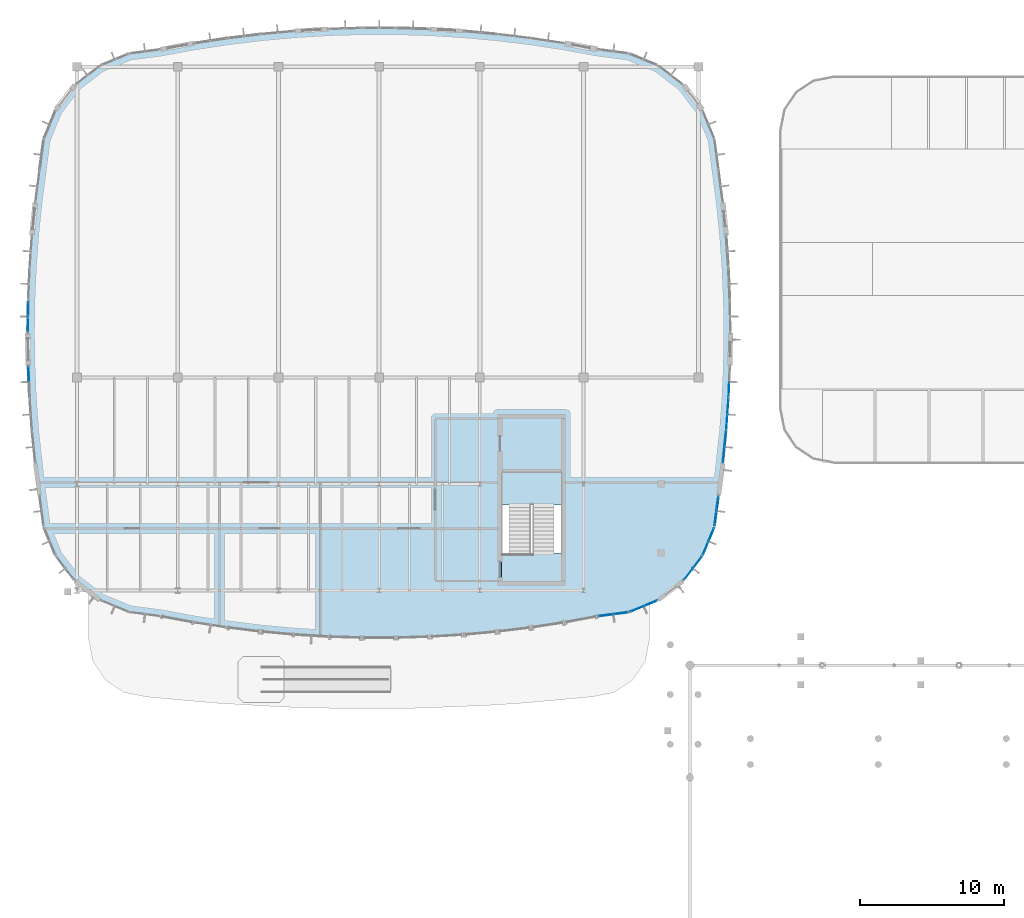
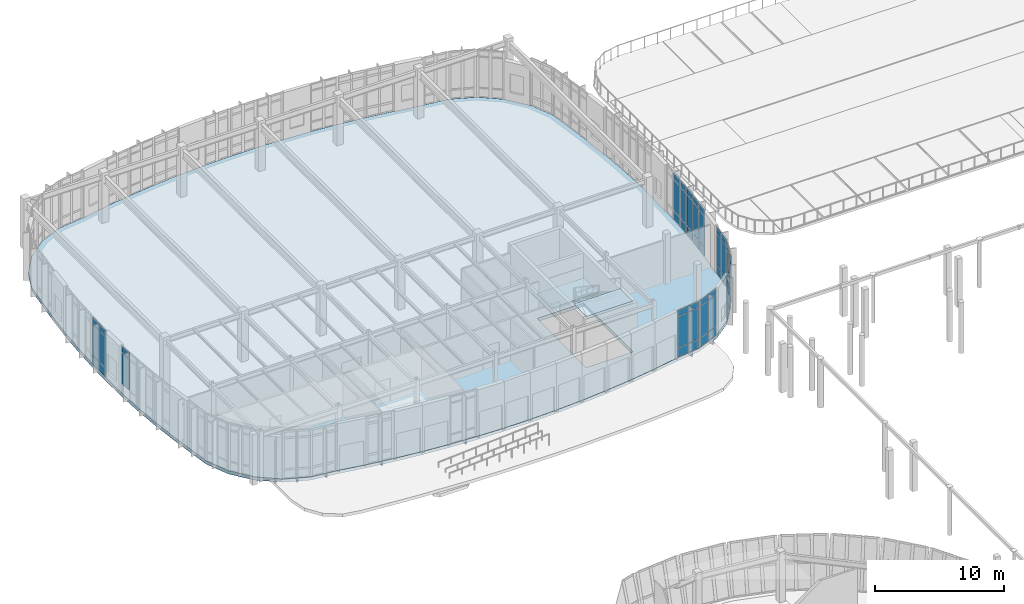
# One storey, part 76 of 120: 53 plates, 3 slabs, 11 elements without a shape of their own.
"""IFC4 building model written with IfcOpenShell, lengths in metres."""

from ifc_helpers import new_model, si_unit, direction, frame, origin, origin_2d, place, context, subcontext, project, spatial, polyline, rectangle, outline, extrude, material, layer, layer_set, type_object, element, aggregate, save


model = new_model("IFC4")

# Units and contexts
model_context = context("Model", 3, precision=1e-05, world=origin(), true_north=direction((0.0, 1.0)))
body_context = subcontext(model_context, "Body", "Model", "MODEL_VIEW")
ifc_project = project(units=[si_unit("LENGTHUNIT", "METRE"), si_unit("AREAUNIT", "SQUARE_METRE"), si_unit("VOLUMEUNIT", "CUBIC_METRE"), si_unit("PLANEANGLEUNIT", "RADIAN"), si_unit("MASSUNIT", "GRAM", prefix="KILO")], contexts=[model_context])

# Site, building, storey
site_placement = place(None, origin())
site = spatial("IfcSite", under=ifc_project, at=site_placement, CompositionType="ELEMENT")
building_placement = place(site_placement, origin())
building = spatial("IfcBuilding", under=site, at=building_placement, Name="Corveleigh Park Community Centre", CompositionType="ELEMENT")
storey_placement = place(building_placement, origin())
storey = spatial("IfcBuildingStorey", under=building, at=storey_placement, Name="L00", CompositionType="ELEMENT", Elevation=0.0)

# Curtain wall, plates
ifc_material_1 = material(Name="Anodised aluminium 6063-T6", Category="aluminium")
curtain_wall_type = type_object("IfcCurtainWallType", Name="CW-SYS-V2-L00", PredefinedType="NOTDEFINED", material=ifc_material_1)
curtain_wall_1_placement = place(storey_placement, origin())
curtain_wall_1 = element("IfcCurtainWall", 1, at=curtain_wall_1_placement, inside=storey, type_object=curtain_wall_type, Name="V2 L00 Curtain Wall 37", PredefinedType="NOTDEFINED")
ifc_material_2 = material(Name="Low-E double glazing", Category="glass")
ifc_layer_1 = layer(ifc_material_2, 0.02392578125, Name="Low-E double glazing", Category="glass")
ifc_layer_set_1 = layer_set([ifc_layer_1], Name="Low-E double glazing")
plate_type_1 = type_object("IfcPlateType", Name="CWP-GLZ-24", PredefinedType="CURTAIN_PANEL", material=ifc_layer_set_1)
plate_1_placement = place(storey_placement, frame((56.265380859375, 88.521484375, 0.06494140625), z_axis=(0.0, 0.0, 1.0), x_axis=(-0.101352073938, -0.9948506205, 0.0)))
plate_1 = element("IfcPlate", 2, at=plate_1_placement, type_object=plate_type_1, Name="CW03 panel 1.1", PredefinedType="CURTAIN_PANEL", context=body_context, shape_type="SweptSolid", body=[
    extrude(rectangle(XDim=1.034912109375, YDim=0.02392578125, at=origin_2d()), origin(), (0.0, 0.0, 1.0), 0.802490234375),
])
plate_2_placement = place(storey_placement, frame((56.265380859375, 88.521484375, 0.9326171875), z_axis=(0.0, 0.0, 1.0), x_axis=(-0.101352073938, -0.9948506205, 0.0)))
plate_2 = element("IfcPlate", 3, at=plate_2_placement, type_object=plate_type_1, Name="CW03 panel 1.2", PredefinedType="CURTAIN_PANEL", context=body_context, shape_type="SweptSolid", body=[
    extrude(rectangle(XDim=1.034912109375, YDim=0.02392578125, at=origin_2d()), origin(), (0.0, 0.0, 1.0), 2.89697265625),
])
plate_3_placement = place(storey_placement, frame((56.265380859375, 88.521484375, 3.89453125), z_axis=(0.0, 0.0, 1.0), x_axis=(-0.101352073938, -0.9948506205, 0.0)))
plate_3 = element("IfcPlate", 4, at=plate_3_placement, type_object=plate_type_1, Name="CW03 panel 1.3", PredefinedType="CURTAIN_PANEL", context=body_context, shape_type="SweptSolid", body=[
    extrude(rectangle(XDim=1.034912109375, YDim=0.02392578125, at=origin_2d()), origin(), (0.0, 0.0, 1.0), 0.552490234375),
])
plate_4_placement = place(storey_placement, frame((56.154541015625, 87.432373046875, 0.06494140625), z_axis=(0.0, 0.0, 1.0), x_axis=(-0.101352073938, -0.9948506205, 0.0)))
plate_4 = element("IfcPlate", 5, at=plate_4_placement, type_object=plate_type_1, Name="CW03 panel 2.1", PredefinedType="CURTAIN_PANEL", context=body_context, shape_type="SweptSolid", body=[
    extrude(rectangle(XDim=1.034912109375, YDim=0.02392578125, at=origin_2d()), origin(), (0.0, 0.0, 1.0), 0.802490234375),
])
plate_5_placement = place(storey_placement, frame((56.154541015625, 87.432373046875, 0.9326171875), z_axis=(0.0, 0.0, 1.0), x_axis=(-0.101352073938, -0.9948506205, 0.0)))
plate_5 = element("IfcPlate", 6, at=plate_5_placement, type_object=plate_type_1, Name="CW03 panel 2.2", PredefinedType="CURTAIN_PANEL", context=body_context, shape_type="SweptSolid", body=[
    extrude(rectangle(XDim=1.034912109375, YDim=0.02392578125, at=origin_2d()), origin(), (0.0, 0.0, 1.0), 2.89697265625),
])
plate_6_placement = place(storey_placement, frame((56.154541015625, 87.432373046875, 3.89453125), z_axis=(0.0, 0.0, 1.0), x_axis=(-0.101352073938, -0.9948506205, 0.0)))
plate_6 = element("IfcPlate", 7, at=plate_6_placement, type_object=plate_type_1, Name="CW03 panel 2.3", PredefinedType="CURTAIN_PANEL", context=body_context, shape_type="SweptSolid", body=[
    extrude(rectangle(XDim=1.034912109375, YDim=0.02392578125, at=origin_2d()), origin(), (0.0, 0.0, 1.0), 0.552490234375),
])
aggregate(curtain_wall_1, [plate_1, plate_2, plate_3, plate_4, plate_5, plate_6])

curtain_wall_2_placement = place(storey_placement, origin())
curtain_wall_2 = element("IfcCurtainWall", 8, at=curtain_wall_2_placement, inside=storey, type_object=curtain_wall_type, Name="V2 L00 Curtain Wall 38", PredefinedType="NOTDEFINED")
plate_7_placement = place(storey_placement, frame((56.4462890625, 90.78076171875, 0.070068359375), z_axis=(0.0, 0.0, 1.0), x_axis=(-0.072005120539, -0.997404262381, 0.0)))
plate_7 = element("IfcPlate", 9, at=plate_7_placement, type_object=plate_type_1, Name="CW03 panel 1.1", PredefinedType="CURTAIN_PANEL", context=body_context, shape_type="SweptSolid", body=[
    extrude(rectangle(XDim=1.02734375, YDim=0.02392578125, at=origin_2d()), origin(), (0.0, 0.0, 1.0), 0.794921875),
])
plate_8_placement = place(storey_placement, frame((56.4462890625, 90.78076171875, 0.93505859375), z_axis=(0.0, 0.0, 1.0), x_axis=(-0.072005120539, -0.997404262381, 0.0)))
plate_8 = element("IfcPlate", 10, at=plate_8_placement, type_object=plate_type_1, Name="CW03 panel 1.2", PredefinedType="CURTAIN_PANEL", context=body_context, shape_type="SweptSolid", body=[
    extrude(rectangle(XDim=1.02734375, YDim=0.02392578125, at=origin_2d()), origin(), (0.0, 0.0, 1.0), 2.89208984375),
])
plate_9_placement = place(storey_placement, frame((56.4462890625, 90.78076171875, 3.89697265625), z_axis=(0.0, 0.0, 1.0), x_axis=(-0.072005120539, -0.997404262381, 0.0)))
plate_9 = element("IfcPlate", 11, at=plate_9_placement, type_object=plate_type_1, Name="CW03 panel 1.3", PredefinedType="CURTAIN_PANEL", context=body_context, shape_type="SweptSolid", body=[
    extrude(rectangle(XDim=1.02734375, YDim=0.02392578125, at=origin_2d()), origin(), (0.0, 0.0, 1.0), 0.544921875),
])
plate_10_placement = place(storey_placement, frame((56.36767578125, 89.691162109375, 0.070068359375), z_axis=(0.0, 0.0, 1.0), x_axis=(-0.072005120539, -0.997404262381, 0.0)))
plate_10 = element("IfcPlate", 12, at=plate_10_placement, type_object=plate_type_1, Name="CW03 panel 2.1", PredefinedType="CURTAIN_PANEL", context=body_context, shape_type="SweptSolid", body=[
    extrude(rectangle(XDim=1.02734375, YDim=0.02392578125, at=origin_2d()), origin(), (0.0, 0.0, 1.0), 0.794921875),
])
plate_11_placement = place(storey_placement, frame((56.36767578125, 89.691162109375, 0.93505859375), z_axis=(0.0, 0.0, 1.0), x_axis=(-0.072005120539, -0.997404262381, 0.0)))
plate_11 = element("IfcPlate", 13, at=plate_11_placement, type_object=plate_type_1, Name="CW03 panel 2.2", PredefinedType="CURTAIN_PANEL", context=body_context, shape_type="SweptSolid", body=[
    extrude(rectangle(XDim=1.02734375, YDim=0.02392578125, at=origin_2d()), origin(), (0.0, 0.0, 1.0), 2.89208984375),
])
plate_12_placement = place(storey_placement, frame((56.36767578125, 89.691162109375, 3.89697265625), z_axis=(0.0, 0.0, 1.0), x_axis=(-0.072005120539, -0.997404262381, 0.0)))
plate_12 = element("IfcPlate", 14, at=plate_12_placement, type_object=plate_type_1, Name="CW03 panel 2.3", PredefinedType="CURTAIN_PANEL", context=body_context, shape_type="SweptSolid", body=[
    extrude(rectangle(XDim=1.02734375, YDim=0.02392578125, at=origin_2d()), origin(), (0.0, 0.0, 1.0), 0.544921875),
])
aggregate(curtain_wall_2, [plate_7, plate_8, plate_9, plate_10, plate_11, plate_12])

curtain_wall_3_placement = place(storey_placement, origin())
curtain_wall_3 = element("IfcCurtainWall", 15, at=curtain_wall_3_placement, inside=storey, type_object=curtain_wall_type, Name="V2 L00 Curtain Wall 39", PredefinedType="NOTDEFINED")
ifc_layer_2 = layer(ifc_material_2, 0.028076171875, Name="Low-E double glazing", Category="glass")
ifc_layer_set_2 = layer_set([ifc_layer_2], Name="Low-E double glazing")
plate_type_2 = type_object("IfcPlateType", Name="CWP-GLZ-28", PredefinedType="CURTAIN_PANEL", material=ifc_layer_set_2)
plate_13_placement = place(storey_placement, frame((56.51416015625, 91.955322265625, 0.074951171875), z_axis=(0.0, 0.0, 1.0), x_axis=(-0.043572286221, -0.99905027695, 0.0)))
plate_13 = element("IfcPlate", 16, at=plate_13_placement, type_object=plate_type_2, Name="CW03 panel 2.1", PredefinedType="CURTAIN_PANEL", context=body_context, shape_type="SweptSolid", body=[
    extrude(rectangle(XDim=1.01953125, YDim=0.028076171875, at=origin_2d()), origin(), (0.0, 0.0, 1.0), 0.78759765625),
])
plate_14_placement = place(storey_placement, frame((56.51416015625, 91.955322265625, 0.9375), z_axis=(0.0, 0.0, 1.0), x_axis=(-0.043572286221, -0.99905027695, 0.0)))
plate_14 = element("IfcPlate", 17, at=plate_14_placement, type_object=plate_type_2, Name="CW03 panel 2.2", PredefinedType="CURTAIN_PANEL", context=body_context, shape_type="SweptSolid", body=[
    extrude(rectangle(XDim=1.01953125, YDim=0.028076171875, at=origin_2d()), origin(), (0.0, 0.0, 1.0), 2.886962890625),
])
plate_15_placement = place(storey_placement, frame((56.51416015625, 91.955322265625, 3.8994140625), z_axis=(0.0, 0.0, 1.0), x_axis=(-0.043572286221, -0.99905027695, 0.0)))
plate_15 = element("IfcPlate", 18, at=plate_15_placement, type_object=plate_type_2, Name="CW03 panel 2.3", PredefinedType="CURTAIN_PANEL", context=body_context, shape_type="SweptSolid", body=[
    extrude(rectangle(XDim=1.01953125, YDim=0.028076171875, at=origin_2d()), origin(), (0.0, 0.0, 1.0), 0.53759765625),
])
aggregate(curtain_wall_3, [plate_13, plate_14, plate_15])

curtain_wall_4_placement = place(storey_placement, origin())
curtain_wall_4 = element("IfcCurtainWall", 19, at=curtain_wall_4_placement, inside=storey, type_object=curtain_wall_type, Name="V2 L00 Curtain Wall 66", PredefinedType="NOTDEFINED")
ifc_layer_3 = layer(ifc_material_2, 0.031982421875, Name="Low-E double glazing", Category="glass")
ifc_layer_set_3 = layer_set([ifc_layer_3], Name="Low-E double glazing")
plate_type_3 = type_object("IfcPlateType", Name="CWP-GLZ-32", PredefinedType="CURTAIN_PANEL", material=ifc_layer_set_3)
plate_16_placement = place(storey_placement, frame((7.78857421875, 96.49267578125, 0.06005859375), z_axis=(0.0, 0.0, 1.0), x_axis=(0.014665089441, 0.999892461794, 0.0)))
plate_16 = element("IfcPlate", 20, at=plate_16_placement, type_object=plate_type_3, Name="CW03 panel 1.1", PredefinedType="CURTAIN_PANEL", context=body_context, shape_type="SweptSolid", body=[
    extrude(rectangle(XDim=0.99755859375, YDim=0.031982421875, at=origin_2d()), origin(), (0.0, 0.0, 1.0), 0.81005859375),
])
plate_17_placement = place(storey_placement, frame((7.78857421875, 96.49267578125, 0.93017578125), z_axis=(0.0, 0.0, 1.0), x_axis=(0.014665089441, 0.999892461794, 0.0)))
plate_17 = element("IfcPlate", 21, at=plate_17_placement, type_object=plate_type_3, Name="CW03 panel 1.2", PredefinedType="CURTAIN_PANEL", context=body_context, shape_type="SweptSolid", body=[
    extrude(rectangle(XDim=0.99755859375, YDim=0.031982421875, at=origin_2d()), origin(), (0.0, 0.0, 1.0), 2.902099609375),
])
plate_18_placement = place(storey_placement, frame((7.78857421875, 96.49267578125, 3.89208984375), z_axis=(0.0, 0.0, 1.0), x_axis=(0.014665089441, 0.999892461794, 0.0)))
plate_18 = element("IfcPlate", 22, at=plate_18_placement, type_object=plate_type_3, Name="CW03 panel 1.3", PredefinedType="CURTAIN_PANEL", context=body_context, shape_type="SweptSolid", body=[
    extrude(rectangle(XDim=0.99755859375, YDim=0.031982421875, at=origin_2d()), origin(), (0.0, 0.0, 1.0), 0.56005859375),
])
plate_19_placement = place(storey_placement, frame((7.804443359375, 97.5751953125, 0.06005859375), z_axis=(0.0, 0.0, 1.0), x_axis=(0.014665089441, 0.999892461794, 0.0)))
plate_19 = element("IfcPlate", 23, at=plate_19_placement, type_object=plate_type_3, Name="CW03 panel 2.1", PredefinedType="CURTAIN_PANEL", context=body_context, shape_type="SweptSolid", body=[
    extrude(rectangle(XDim=0.99755859375, YDim=0.031982421875, at=origin_2d()), origin(), (0.0, 0.0, 1.0), 0.81005859375),
])
plate_20_placement = place(storey_placement, frame((7.804443359375, 97.5751953125, 0.93017578125), z_axis=(0.0, 0.0, 1.0), x_axis=(0.014665089441, 0.999892461794, 0.0)))
plate_20 = element("IfcPlate", 24, at=plate_20_placement, type_object=plate_type_3, Name="CW03 panel 2.2", PredefinedType="CURTAIN_PANEL", context=body_context, shape_type="SweptSolid", body=[
    extrude(rectangle(XDim=0.99755859375, YDim=0.031982421875, at=origin_2d()), origin(), (0.0, 0.0, 1.0), 2.902099609375),
])
plate_21_placement = place(storey_placement, frame((7.804443359375, 97.5751953125, 3.89208984375), z_axis=(0.0, 0.0, 1.0), x_axis=(0.014665089441, 0.999892461794, 0.0)))
plate_21 = element("IfcPlate", 25, at=plate_21_placement, type_object=plate_type_3, Name="CW03 panel 2.3", PredefinedType="CURTAIN_PANEL", context=body_context, shape_type="SweptSolid", body=[
    extrude(rectangle(XDim=0.99755859375, YDim=0.031982421875, at=origin_2d()), origin(), (0.0, 0.0, 1.0), 0.56005859375),
])
aggregate(curtain_wall_4, [plate_16, plate_17, plate_18, plate_19, plate_20, plate_21])

curtain_wall_5_placement = place(storey_placement, origin())
curtain_wall_5 = element("IfcCurtainWall", 26, at=curtain_wall_5_placement, inside=storey, type_object=curtain_wall_type, Name="V2 L00 Curtain Wall 32", PredefinedType="NOTDEFINED")
ifc_layer_4 = layer(ifc_material_2, 0.035888671875, Name="Low-E double glazing", Category="glass")
ifc_layer_set_4 = layer_set([ifc_layer_4], Name="Low-E double glazing")
plate_type_4 = type_object("IfcPlateType", Name="CWP-GLZ-36", PredefinedType="CURTAIN_PANEL", material=ifc_layer_set_4)
plate_22_placement = place(storey_placement, frame((48.9931640625, 76.40966796875, 0.06494140625), z_axis=(0.0, 0.0, 1.0), x_axis=(-0.991417836118, -0.130731305458, 0.0)))
plate_22 = element("IfcPlate", 27, at=plate_22_placement, type_object=plate_type_4, Name="CW03 panel 1.1", PredefinedType="CURTAIN_PANEL", context=body_context, shape_type="SweptSolid", body=[
    extrude(rectangle(XDim=0.977294921875, YDim=0.035888671875, at=origin_2d()), origin(), (0.0, 0.0, 1.0), 0.802490234375),
])
plate_23_placement = place(storey_placement, frame((48.9931640625, 76.40966796875, 0.932373046875), z_axis=(0.0, 0.0, 1.0), x_axis=(-0.991417836118, -0.130731305458, 0.0)))
plate_23 = element("IfcPlate", 28, at=plate_23_placement, type_object=plate_type_4, Name="CW03 panel 1.2", PredefinedType="CURTAIN_PANEL", context=body_context, shape_type="SweptSolid", body=[
    extrude(rectangle(XDim=0.977294921875, YDim=0.035888671875, at=origin_2d()), origin(), (0.0, 0.0, 1.0), 2.912109375),
])
plate_24_placement = place(storey_placement, frame((48.9931640625, 76.40966796875, 3.90966796875), z_axis=(0.0, 0.0, 1.0), x_axis=(-0.991417836118, -0.130731305458, 0.0)))
plate_24 = element("IfcPlate", 29, at=plate_24_placement, type_object=plate_type_4, Name="CW03 panel 1.3", PredefinedType="CURTAIN_PANEL", context=body_context, shape_type="SweptSolid", body=[
    extrude(rectangle(XDim=0.977294921875, YDim=0.035888671875, at=origin_2d()), origin(), (0.0, 0.0, 1.0), 0.552490234375),
])
plate_25_placement = place(storey_placement, frame((47.9599609375, 76.2734375, 0.06494140625), z_axis=(0.0, 0.0, 1.0), x_axis=(-0.991417836118, -0.130731305458, 0.0)))
plate_25 = element("IfcPlate", 30, at=plate_25_placement, type_object=plate_type_4, Name="CW03 panel 2.1", PredefinedType="CURTAIN_PANEL", context=body_context, shape_type="SweptSolid", body=[
    extrude(rectangle(XDim=0.977294921875, YDim=0.035888671875, at=origin_2d()), origin(), (0.0, 0.0, 1.0), 0.802490234375),
])
plate_26_placement = place(storey_placement, frame((47.9599609375, 76.2734375, 0.932373046875), z_axis=(0.0, 0.0, 1.0), x_axis=(-0.991417836118, -0.130731305458, 0.0)))
plate_26 = element("IfcPlate", 31, at=plate_26_placement, type_object=plate_type_4, Name="CW03 panel 2.2", PredefinedType="CURTAIN_PANEL", context=body_context, shape_type="SweptSolid", body=[
    extrude(rectangle(XDim=0.977294921875, YDim=0.035888671875, at=origin_2d()), origin(), (0.0, 0.0, 1.0), 2.912109375),
])
plate_27_placement = place(storey_placement, frame((47.9599609375, 76.2734375, 3.90966796875), z_axis=(0.0, 0.0, 1.0), x_axis=(-0.991417836118, -0.130731305458, 0.0)))
plate_27 = element("IfcPlate", 32, at=plate_27_placement, type_object=plate_type_4, Name="CW03 panel 2.3", PredefinedType="CURTAIN_PANEL", context=body_context, shape_type="SweptSolid", body=[
    extrude(rectangle(XDim=0.977294921875, YDim=0.035888671875, at=origin_2d()), origin(), (0.0, 0.0, 1.0), 0.552490234375),
])
aggregate(curtain_wall_5, [plate_22, plate_23, plate_24, plate_25, plate_26, plate_27])

curtain_wall_6_placement = place(storey_placement, origin())
curtain_wall_6 = element("IfcCurtainWall", 33, at=curtain_wall_6_placement, inside=storey, type_object=curtain_wall_type, Name="V2 L00 Curtain Wall 67", PredefinedType="NOTDEFINED")
plate_28_placement = place(storey_placement, frame((7.838134765625, 93.046142578125, 0.9326171875), z_axis=(0.0, 0.0, 1.0), x_axis=(-0.043572286221, 0.99905027695, 0.0)))
plate_28 = element("IfcPlate", 34, at=plate_28_placement, type_object=plate_type_4, Name="CW03 panel 2.2", PredefinedType="CURTAIN_PANEL", context=body_context, shape_type="SweptSolid", body=[
    extrude(rectangle(XDim=1.03466796875, YDim=0.035888671875, at=origin_2d()), origin(), (0.0, 0.0, 1.0), 2.89697265625),
])
plate_29_placement = place(storey_placement, frame((7.838134765625, 93.046142578125, 3.89453125), z_axis=(0.0, 0.0, 1.0), x_axis=(-0.043572286221, 0.99905027695, 0.0)))
plate_29 = element("IfcPlate", 35, at=plate_29_placement, type_object=plate_type_4, Name="CW03 panel 2.3", PredefinedType="CURTAIN_PANEL", context=body_context, shape_type="SweptSolid", body=[
    extrude(rectangle(XDim=1.03466796875, YDim=0.035888671875, at=origin_2d()), origin(), (0.0, 0.0, 1.0), 0.552490234375),
])
aggregate(curtain_wall_6, [plate_28, plate_29])

curtain_wall_7_placement = place(storey_placement, origin())
curtain_wall_7 = element("IfcCurtainWall", 36, at=curtain_wall_7_placement, inside=storey, type_object=curtain_wall_type, Name="V2 L00 Curtain Wall 33", PredefinedType="NOTDEFINED")
ifc_layer_5 = layer(ifc_material_2, 0.0400390625, Name="Low-E double glazing", Category="glass")
ifc_layer_set_5 = layer_set([ifc_layer_5], Name="Low-E double glazing")
plate_type_5 = type_object("IfcPlateType", Name="CWP-GLZ-40", PredefinedType="CURTAIN_PANEL", material=ifc_layer_set_5)
plate_30_placement = place(storey_placement, frame((51.062255859375, 77.1025390625, 0.070068359375), z_axis=(0.0, 0.0, 1.0), x_axis=(-0.923770494231, -0.382946568059, 0.0)))
plate_30 = element("IfcPlate", 37, at=plate_30_placement, type_object=plate_type_5, Name="CW03 panel 1.1", PredefinedType="CURTAIN_PANEL", context=body_context, shape_type="SweptSolid", body=[
    extrude(rectangle(XDim=0.959228515625, YDim=0.0400390625, at=origin_2d()), origin(), (0.0, 0.0, 1.0), 0.794921875),
])
plate_31_placement = place(storey_placement, frame((51.062255859375, 77.1025390625, 0.93505859375), z_axis=(0.0, 0.0, 1.0), x_axis=(-0.923770494231, -0.382946568059, 0.0)))
plate_31 = element("IfcPlate", 38, at=plate_31_placement, type_object=plate_type_5, Name="CW03 panel 1.2", PredefinedType="CURTAIN_PANEL", context=body_context, shape_type="SweptSolid", body=[
    extrude(rectangle(XDim=0.959228515625, YDim=0.0400390625, at=origin_2d()), origin(), (0.0, 0.0, 1.0), 2.906982421875),
])
plate_32_placement = place(storey_placement, frame((51.062255859375, 77.1025390625, 3.912109375), z_axis=(0.0, 0.0, 1.0), x_axis=(-0.923770494231, -0.382946568059, 0.0)))
plate_32 = element("IfcPlate", 39, at=plate_32_placement, type_object=plate_type_5, Name="CW03 panel 1.3", PredefinedType="CURTAIN_PANEL", context=body_context, shape_type="SweptSolid", body=[
    extrude(rectangle(XDim=0.959228515625, YDim=0.0400390625, at=origin_2d()), origin(), (0.0, 0.0, 1.0), 0.544921875),
])
plate_33_placement = place(storey_placement, frame((50.111572265625, 76.70849609375, 0.070068359375), z_axis=(0.0, 0.0, 1.0), x_axis=(-0.923770494231, -0.382946568059, 0.0)))
plate_33 = element("IfcPlate", 40, at=plate_33_placement, type_object=plate_type_5, Name="CW03 panel 2.1", PredefinedType="CURTAIN_PANEL", context=body_context, shape_type="SweptSolid", body=[
    extrude(rectangle(XDim=0.959228515625, YDim=0.0400390625, at=origin_2d()), origin(), (0.0, 0.0, 1.0), 0.794921875),
])
plate_34_placement = place(storey_placement, frame((50.111572265625, 76.70849609375, 0.93505859375), z_axis=(0.0, 0.0, 1.0), x_axis=(-0.923770494231, -0.382946568059, 0.0)))
plate_34 = element("IfcPlate", 41, at=plate_34_placement, type_object=plate_type_5, Name="CW03 panel 2.2", PredefinedType="CURTAIN_PANEL", context=body_context, shape_type="SweptSolid", body=[
    extrude(rectangle(XDim=0.959228515625, YDim=0.0400390625, at=origin_2d()), origin(), (0.0, 0.0, 1.0), 2.906982421875),
])
plate_35_placement = place(storey_placement, frame((50.111572265625, 76.70849609375, 3.912109375), z_axis=(0.0, 0.0, 1.0), x_axis=(-0.923770494231, -0.382946568059, 0.0)))
plate_35 = element("IfcPlate", 42, at=plate_35_placement, type_object=plate_type_5, Name="CW03 panel 2.3", PredefinedType="CURTAIN_PANEL", context=body_context, shape_type="SweptSolid", body=[
    extrude(rectangle(XDim=0.959228515625, YDim=0.0400390625, at=origin_2d()), origin(), (0.0, 0.0, 1.0), 0.544921875),
])
aggregate(curtain_wall_7, [plate_30, plate_31, plate_32, plate_33, plate_34, plate_35])

curtain_wall_8_placement = place(storey_placement, origin())
curtain_wall_8 = element("IfcCurtainWall", 43, at=curtain_wall_8_placement, inside=storey, type_object=curtain_wall_type, Name="V2 L00 Curtain Wall 34", PredefinedType="NOTDEFINED")
plate_36_placement = place(storey_placement, frame((54.3203125, 79.937744140625, 0.074951171875), z_axis=(0.0, 0.0, 1.0), x_axis=(-0.608825655317, -0.793304053581, 0.0)))
plate_36 = element("IfcPlate", 44, at=plate_36_placement, type_object=plate_type_5, Name="CW03 panel 1.1", PredefinedType="CURTAIN_PANEL", context=body_context, shape_type="SweptSolid", body=[
    extrude(rectangle(XDim=0.95263671875, YDim=0.0400390625, at=origin_2d()), origin(), (0.0, 0.0, 1.0), 0.78759765625),
])
plate_37_placement = place(storey_placement, frame((54.3203125, 79.937744140625, 0.9375), z_axis=(0.0, 0.0, 1.0), x_axis=(-0.608825655317, -0.793304053581, 0.0)))
plate_37 = element("IfcPlate", 45, at=plate_37_placement, type_object=plate_type_5, Name="CW03 panel 1.2", PredefinedType="CURTAIN_PANEL", context=body_context, shape_type="SweptSolid", body=[
    extrude(rectangle(XDim=0.95263671875, YDim=0.0400390625, at=origin_2d()), origin(), (0.0, 0.0, 1.0), 2.902099609375),
])
plate_38_placement = place(storey_placement, frame((54.3203125, 79.937744140625, 3.91455078125), z_axis=(0.0, 0.0, 1.0), x_axis=(-0.608825655317, -0.793304053581, 0.0)))
plate_38 = element("IfcPlate", 46, at=plate_38_placement, type_object=plate_type_5, Name="CW03 panel 1.3", PredefinedType="CURTAIN_PANEL", context=body_context, shape_type="SweptSolid", body=[
    extrude(rectangle(XDim=0.95263671875, YDim=0.0400390625, at=origin_2d()), origin(), (0.0, 0.0, 1.0), 0.53759765625),
])
plate_39_placement = place(storey_placement, frame((53.694580078125, 79.122314453125, 0.074951171875), z_axis=(0.0, 0.0, 1.0), x_axis=(-0.608825655317, -0.793304053581, 0.0)))
plate_39 = element("IfcPlate", 47, at=plate_39_placement, type_object=plate_type_5, Name="CW03 panel 2.1", PredefinedType="CURTAIN_PANEL", context=body_context, shape_type="SweptSolid", body=[
    extrude(rectangle(XDim=0.95263671875, YDim=0.0400390625, at=origin_2d()), origin(), (0.0, 0.0, 1.0), 0.78759765625),
])
plate_40_placement = place(storey_placement, frame((53.694580078125, 79.122314453125, 0.9375), z_axis=(0.0, 0.0, 1.0), x_axis=(-0.608825655317, -0.793304053581, 0.0)))
plate_40 = element("IfcPlate", 48, at=plate_40_placement, type_object=plate_type_5, Name="CW03 panel 2.2", PredefinedType="CURTAIN_PANEL", context=body_context, shape_type="SweptSolid", body=[
    extrude(rectangle(XDim=0.95263671875, YDim=0.0400390625, at=origin_2d()), origin(), (0.0, 0.0, 1.0), 2.902099609375),
])
plate_41_placement = place(storey_placement, frame((53.694580078125, 79.122314453125, 3.91455078125), z_axis=(0.0, 0.0, 1.0), x_axis=(-0.608825655317, -0.793304053581, 0.0)))
plate_41 = element("IfcPlate", 49, at=plate_41_placement, type_object=plate_type_5, Name="CW03 panel 2.3", PredefinedType="CURTAIN_PANEL", context=body_context, shape_type="SweptSolid", body=[
    extrude(rectangle(XDim=0.95263671875, YDim=0.0400390625, at=origin_2d()), origin(), (0.0, 0.0, 1.0), 0.53759765625),
])
aggregate(curtain_wall_8, [plate_36, plate_37, plate_38, plate_39, plate_40, plate_41])

curtain_wall_9_placement = place(storey_placement, origin())
curtain_wall_9 = element("IfcCurtainWall", 50, at=curtain_wall_9_placement, inside=storey, type_object=curtain_wall_type, Name="V2 L00 Curtain Wall 35", PredefinedType="NOTDEFINED")
ifc_layer_6 = layer(ifc_material_2, 0.0439453125, Name="Low-E double glazing", Category="glass")
ifc_layer_set_6 = layer_set([ifc_layer_6], Name="Low-E double glazing")
plate_type_6 = type_object("IfcPlateType", Name="CWP-GLZ-44", PredefinedType="CURTAIN_PANEL", material=ifc_layer_set_6)
plate_42_placement = place(storey_placement, frame((55.29052734375, 81.885986328125, 0.080078125), z_axis=(0.0, 0.0, 1.0), x_axis=(-0.382946568059, -0.923770494231, 0.0)))
plate_42 = element("IfcPlate", 51, at=plate_42_placement, type_object=plate_type_6, Name="CW03 panel 1.1", PredefinedType="CURTAIN_PANEL", context=body_context, shape_type="SweptSolid", body=[
    extrude(rectangle(XDim=0.944091796875, YDim=0.0439453125, at=origin_2d()), origin(), (0.0, 0.0, 1.0), 0.780029296875),
])
plate_43_placement = place(storey_placement, frame((55.29052734375, 81.885986328125, 0.93994140625), z_axis=(0.0, 0.0, 1.0), x_axis=(-0.382946568059, -0.923770494231, 0.0)))
plate_43 = element("IfcPlate", 52, at=plate_43_placement, type_object=plate_type_6, Name="CW03 panel 1.2", PredefinedType="CURTAIN_PANEL", context=body_context, shape_type="SweptSolid", body=[
    extrude(rectangle(XDim=0.944091796875, YDim=0.0439453125, at=origin_2d()), origin(), (0.0, 0.0, 1.0), 2.89697265625),
])
plate_44_placement = place(storey_placement, frame((55.29052734375, 81.885986328125, 3.9169921875), z_axis=(0.0, 0.0, 1.0), x_axis=(-0.382946568059, -0.923770494231, 0.0)))
plate_44 = element("IfcPlate", 53, at=plate_44_placement, type_object=plate_type_6, Name="CW03 panel 1.3", PredefinedType="CURTAIN_PANEL", context=body_context, shape_type="SweptSolid", body=[
    extrude(rectangle(XDim=0.944091796875, YDim=0.0439453125, at=origin_2d()), origin(), (0.0, 0.0, 1.0), 0.530029296875),
])
plate_45_placement = place(storey_placement, frame((54.8984375, 80.93994140625, 0.080078125), z_axis=(0.0, 0.0, 1.0), x_axis=(-0.382946568059, -0.923770494231, 0.0)))
plate_45 = element("IfcPlate", 54, at=plate_45_placement, type_object=plate_type_6, Name="CW03 panel 2.1", PredefinedType="CURTAIN_PANEL", context=body_context, shape_type="SweptSolid", body=[
    extrude(rectangle(XDim=0.944091796875, YDim=0.0439453125, at=origin_2d()), origin(), (0.0, 0.0, 1.0), 0.780029296875),
])
plate_46_placement = place(storey_placement, frame((54.8984375, 80.93994140625, 0.93994140625), z_axis=(0.0, 0.0, 1.0), x_axis=(-0.382946568059, -0.923770494231, 0.0)))
plate_46 = element("IfcPlate", 55, at=plate_46_placement, type_object=plate_type_6, Name="CW03 panel 2.2", PredefinedType="CURTAIN_PANEL", context=body_context, shape_type="SweptSolid", body=[
    extrude(rectangle(XDim=0.944091796875, YDim=0.0439453125, at=origin_2d()), origin(), (0.0, 0.0, 1.0), 2.89697265625),
])
plate_47_placement = place(storey_placement, frame((54.8984375, 80.93994140625, 3.9169921875), z_axis=(0.0, 0.0, 1.0), x_axis=(-0.382946568059, -0.923770494231, 0.0)))
plate_47 = element("IfcPlate", 56, at=plate_47_placement, type_object=plate_type_6, Name="CW03 panel 2.3", PredefinedType="CURTAIN_PANEL", context=body_context, shape_type="SweptSolid", body=[
    extrude(rectangle(XDim=0.944091796875, YDim=0.0439453125, at=origin_2d()), origin(), (0.0, 0.0, 1.0), 0.530029296875),
])
aggregate(curtain_wall_9, [plate_42, plate_43, plate_44, plate_45, plate_46, plate_47])

curtain_wall_10_placement = place(storey_placement, origin())
curtain_wall_10 = element("IfcCurtainWall", 57, at=curtain_wall_10_placement, inside=storey, type_object=curtain_wall_type, Name="V2 L00 Curtain Wall 36", PredefinedType="NOTDEFINED")
plate_48_placement = place(storey_placement, frame((55.72607421875, 84.038818359375, 0.06005859375), z_axis=(0.0, 0.0, 1.0), x_axis=(-0.130430498525, -0.99145745499, 0.0)))
plate_48 = element("IfcPlate", 58, at=plate_48_placement, type_object=plate_type_6, Name="CW03 panel 1.1", PredefinedType="CURTAIN_PANEL", context=body_context, shape_type="SweptSolid", body=[
    extrude(rectangle(XDim=0.94970703125, YDim=0.0439453125, at=origin_2d()), origin(), (0.0, 0.0, 1.0), 0.81005859375),
])
plate_49_placement = place(storey_placement, frame((55.72607421875, 84.038818359375, 0.929931640625), z_axis=(0.0, 0.0, 1.0), x_axis=(-0.130430498525, -0.99145745499, 0.0)))
plate_49 = element("IfcPlate", 59, at=plate_49_placement, type_object=plate_type_6, Name="CW03 panel 1.2", PredefinedType="CURTAIN_PANEL", context=body_context, shape_type="SweptSolid", body=[
    extrude(rectangle(XDim=0.94970703125, YDim=0.0439453125, at=origin_2d()), origin(), (0.0, 0.0, 1.0), 2.9169921875),
])
plate_50_placement = place(storey_placement, frame((55.72607421875, 84.038818359375, 3.906982421875), z_axis=(0.0, 0.0, 1.0), x_axis=(-0.130430498525, -0.99145745499, 0.0)))
plate_50 = element("IfcPlate", 60, at=plate_50_placement, type_object=plate_type_6, Name="CW03 panel 1.3", PredefinedType="CURTAIN_PANEL", context=body_context, shape_type="SweptSolid", body=[
    extrude(rectangle(XDim=0.94970703125, YDim=0.0439453125, at=origin_2d()), origin(), (0.0, 0.0, 1.0), 0.56005859375),
])
plate_51_placement = place(storey_placement, frame((55.591064453125, 83.01318359375, 0.06005859375), z_axis=(0.0, 0.0, 1.0), x_axis=(-0.130430498525, -0.99145745499, 0.0)))
plate_51 = element("IfcPlate", 61, at=plate_51_placement, type_object=plate_type_6, Name="CW03 panel 2.1", PredefinedType="CURTAIN_PANEL", context=body_context, shape_type="SweptSolid", body=[
    extrude(rectangle(XDim=0.94970703125, YDim=0.0439453125, at=origin_2d()), origin(), (0.0, 0.0, 1.0), 0.81005859375),
])
plate_52_placement = place(storey_placement, frame((55.591064453125, 83.01318359375, 0.929931640625), z_axis=(0.0, 0.0, 1.0), x_axis=(-0.130430498525, -0.99145745499, 0.0)))
plate_52 = element("IfcPlate", 62, at=plate_52_placement, type_object=plate_type_6, Name="CW03 panel 2.2", PredefinedType="CURTAIN_PANEL", context=body_context, shape_type="SweptSolid", body=[
    extrude(rectangle(XDim=0.94970703125, YDim=0.0439453125, at=origin_2d()), origin(), (0.0, 0.0, 1.0), 2.9169921875),
])
plate_53_placement = place(storey_placement, frame((55.591064453125, 83.01318359375, 3.906982421875), z_axis=(0.0, 0.0, 1.0), x_axis=(-0.130430498525, -0.99145745499, 0.0)))
plate_53 = element("IfcPlate", 63, at=plate_53_placement, type_object=plate_type_6, Name="CW03 panel 2.3", PredefinedType="CURTAIN_PANEL", context=body_context, shape_type="SweptSolid", body=[
    extrude(rectangle(XDim=0.94970703125, YDim=0.0439453125, at=origin_2d()), origin(), (0.0, 0.0, 1.0), 0.56005859375),
])
aggregate(curtain_wall_10, [plate_48, plate_49, plate_50, plate_51, plate_52, plate_53])

# Slab
ifc_material_3 = material(Name="Concrete C32/40", Category="concrete")
ifc_layer_7 = layer(ifc_material_3, 0.31005859375, Name="Concrete C32/40", Category="concrete")
ifc_layer_set_7 = layer_set([ifc_layer_7], Name="Concrete C32/40")
slab_type_1 = type_object("IfcSlabType", Name="SLB-GND-310", PredefinedType="FLOOR", material=ifc_layer_set_7)
slab_1_placement = place(storey_placement, frame((0.0, 0.0, -0.31005859375)))
element("IfcSlab", 64, at=slab_1_placement, inside=storey, type_object=slab_type_1, Name="V2 L00 floor slab", PredefinedType="FLOOR", context=body_context, shape_type="SweptSolid", body=[
    extrude(outline(polyline([(12.800048828125, 77.324951171875), (11.06005859375, 78.659912109375), (9.72509765625, 80.39990234375), (8.885986328125, 82.426025390625), (8.304931640625, 86.84912109375), (8.074951171875, 89.10498046875), (7.910888671875, 91.366943359375), (7.81298828125, 93.632080078125), (7.780029296875, 95.89990234375), (7.81298828125, 98.16796875), (7.910888671875, 100.43310546875), (8.074951171875, 102.695068359375), (8.304931640625, 104.950927734375), (8.885986328125, 109.3740234375), (9.72509765625, 111.39990234375), (11.06005859375, 113.139892578125), (12.800048828125, 114.47509765625), (14.825927734375, 115.31396484375), (17.0, 115.60009765625), (19.31494140625, 116.02490234375), (21.64111328125, 116.37890625), (23.97802734375, 116.6630859375), (26.322021484375, 116.876953125), (28.6708984375, 117.01904296875), (31.02294921875, 117.090087890625), (33.376953125, 117.090087890625), (35.72900390625, 117.01904296875), (38.077880859375, 116.876953125), (40.422119140625, 116.6630859375), (42.759033203125, 116.37890625), (45.0849609375, 116.02490234375), (47.39990234375, 115.60009765625), (49.573974609375, 115.31396484375), (51.60009765625, 114.47509765625), (53.340087890625, 113.139892578125), (54.675048828125, 111.39990234375), (55.513916015625, 109.3740234375), (56.094970703125, 104.950927734375), (56.324951171875, 102.695068359375), (56.489013671875, 100.43310546875), (56.5869140625, 98.16796875), (56.6201171875, 95.89990234375), (56.5869140625, 93.632080078125), (56.489013671875, 91.366943359375), (56.324951171875, 89.10498046875), (56.094970703125, 86.84912109375), (55.513916015625, 82.426025390625), (54.675048828125, 80.39990234375), (53.340087890625, 78.659912109375), (51.60009765625, 77.324951171875), (49.573974609375, 76.486083984375), (47.39990234375, 76.199951171875), (45.0849609375, 75.77490234375), (42.759033203125, 75.4208984375), (40.422119140625, 75.136962890625), (38.077880859375, 74.923095703125), (35.72900390625, 74.781005859375), (33.376953125, 74.7099609375), (31.02294921875, 74.7099609375), (28.6708984375, 74.781005859375), (26.322021484375, 74.923095703125), (23.97802734375, 75.136962890625), (21.64111328125, 75.4208984375), (19.31494140625, 75.77490234375), (17.0, 76.199951171875), (14.825927734375, 76.486083984375), (12.800048828125, 77.324951171875)]), holes=[polyline([(40.708984375, 86.22900390625), (40.708984375, 78.60791015625), (44.89208984375, 78.60791015625), (44.89208984375, 86.22900390625), (40.708984375, 86.22900390625)])]), origin(), (0.0, 0.0, 1.0), 0.31005859375),
])

# Stair, slabs
stair_type = type_object("IfcStairType", Name="STR-HT-1500-480", PredefinedType="USERDEFINED", material=ifc_material_3)
stair_placement = place(storey_placement, origin())
stair = element("IfcStair", 65, at=stair_placement, inside=storey, type_object=stair_type, Name="Protected escape stair ST3 (L00 to L01)", ObjectType="TWO_RETURN_STAIR", PredefinedType="USERDEFINED")
ifc_layer_8 = layer(ifc_material_3, 0.18798828125, Name="Concrete C32/40", Category="concrete")
ifc_layer_set_8 = layer_set([ifc_layer_8], Name="Concrete C32/40")
slab_type_2 = type_object("IfcSlabType", Name="SLB-LND-188", PredefinedType="LANDING", material=ifc_layer_set_8)
slab_2_placement = place(storey_placement, frame((0.0, 0.0, 2.2119140625)))
slab_2 = element("IfcSlab", 66, at=slab_2_placement, type_object=slab_type_2, Name="ST3 half landing", PredefinedType="LANDING", context=body_context, shape_type="SweptSolid", body=[
    extrude(outline(polyline([(40.715087890625, 83.93505859375), (44.885986328125, 83.93505859375), (44.885986328125, 86.222900390625), (40.715087890625, 86.222900390625), (40.715087890625, 83.93505859375)])), origin(), (0.0, 0.0, 1.0), 0.18798828125),
])
slab_3_placement = place(storey_placement, frame((0.0, 0.0, 4.612060546875)))
slab_3 = element("IfcSlab", 67, at=slab_3_placement, type_object=slab_type_2, Name="ST3 upper landing", PredefinedType="LANDING", context=body_context, shape_type="SweptSolid", body=[
    extrude(outline(polyline([(40.715087890625, 78.614013671875), (44.885986328125, 78.614013671875), (44.885986328125, 80.60009765625), (40.715087890625, 80.60009765625), (40.715087890625, 78.614013671875)])), origin(), (0.0, 0.0, 1.0), 0.18798828125),
])
aggregate(stair, [slab_2, slab_3])

save(model, "model.ifc")
